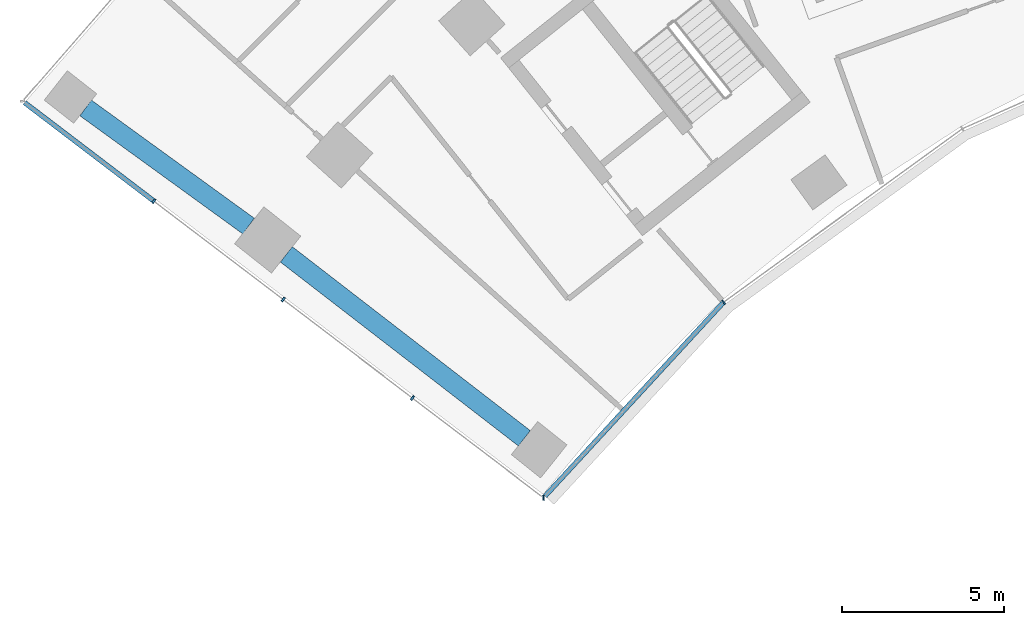
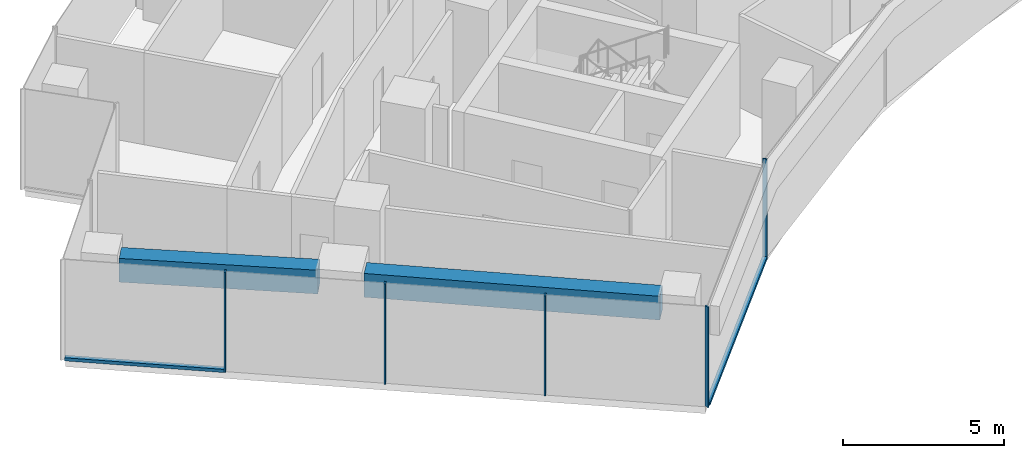
# One storey, part 2 of 21: 7 members, 2 beams, 2 elements without a shape of their own.
"""IFC4 building model written with IfcOpenShell, lengths in metres."""

from ifc_helpers import new_model, si_unit, direction, frame, origin, origin_2d, place, context, subcontext, project, spatial, rectangle, extrude, material, layer, layer_set, material_profile, profile_set, type_object, element, aggregate, save


model = new_model("IFC4")

# Units and contexts
model_context = context("Model", 3, precision=1e-05, world=origin(), true_north=direction((0.0, 1.0)))
body_context = subcontext(model_context, "Body", "Model", "MODEL_VIEW")
ifc_project = project(units=[si_unit("LENGTHUNIT", "METRE"), si_unit("AREAUNIT", "SQUARE_METRE"), si_unit("VOLUMEUNIT", "CUBIC_METRE"), si_unit("PLANEANGLEUNIT", "RADIAN"), si_unit("MASSUNIT", "GRAM", prefix="KILO")], contexts=[model_context])

# Site, building, storey
site_placement = place(None, origin())
site = spatial("IfcSite", under=ifc_project, at=site_placement, CompositionType="ELEMENT")
building_placement = place(site_placement, origin())
building = spatial("IfcBuilding", under=site, at=building_placement, Name="Stone Belt Terrace Tower", CompositionType="ELEMENT")
storey_placement = place(building_placement, frame((0.0, 0.0, 90.800048828125)))
storey = spatial("IfcBuildingStorey", under=building, at=storey_placement, Name="L21", CompositionType="ELEMENT", Elevation=90.800048828125)

# Curtain wall, members
ifc_material_1 = material(Name="Aluminium 6063-T6 anodised frame", Category="aluminium")
ifc_layer_1 = layer(ifc_material_1, 0.14990234375)
ifc_layer_set_1 = layer_set([ifc_layer_1], Name="CW-B unitised concave-face curtain wall")
curtain_wall_type_1 = type_object("IfcCurtainWallType", Name="CW-B unitised concave-face curtain wall", PredefinedType="NOTDEFINED", material=ifc_layer_set_1)
curtain_wall_1_placement = place(storey_placement, origin())
curtain_wall_1 = element("IfcCurtainWall", 1, at=curtain_wall_1_placement, inside=storey, type_object=curtain_wall_type_1, Name="CW-B concave face L21", PredefinedType="NOTDEFINED")
ifc_material_profile_1 = material_profile(ifc_material_1, rectangle(XDim=0.14990234375, YDim=0.050048828125, at=origin_2d()), Name="Aluminium 6063-T6 50x150")
ifc_profile_set_1 = profile_set([ifc_material_profile_1], Name="Aluminium 6063-T6 anodised frame")
member_type_1 = type_object("IfcMemberType", Name="CW-B mullion 50 x 150", PredefinedType="MULLION", material=ifc_profile_set_1)
member_1_placement = place(storey_placement, frame((-34.599853515625, 26.252197265625, 0.0), z_axis=(0.0, 0.0, 1.0), x_axis=(-0.087748408803, 0.996142668875, 0.0)))
member_1 = element("IfcMember", 2, at=member_1_placement, type_object=member_type_1, Name="CW-B mullion 1", PredefinedType="MULLION", context=body_context, shape_type="SweptSolid", body=[
    extrude(rectangle(XDim=0.14990234375, YDim=0.050048828125, at=origin_2d()), origin(), (0.0, 0.0, 1.0), 3.800048828125),
])
member_2_placement = place(storey_placement, frame((-29.05712890625, 32.2705078125, 0.0), z_axis=(0.0, 0.0, 1.0), x_axis=(-0.664943998932, 0.746893217458, 0.0)))
member_2 = element("IfcMember", 3, at=member_2_placement, type_object=member_type_1, Name="CW-B mullion 2", PredefinedType="MULLION", context=body_context, shape_type="SweptSolid", body=[
    extrude(rectangle(XDim=0.14990234375, YDim=0.050048828125, at=origin_2d()), origin(), (0.0, 0.0, 1.0), 3.800048828125),
])
ifc_material_profile_2 = material_profile(ifc_material_1, rectangle(XDim=0.14990234375, YDim=0.1201171875, at=origin_2d()), Name="Aluminium 6063-T6 150x120")
ifc_profile_set_2 = profile_set([ifc_material_profile_2], Name="Aluminium 6063-T6 anodised frame")
member_type_2 = type_object("IfcMemberType", Name="CW-B transom 120 x 150", PredefinedType="USERDEFINED", material=ifc_profile_set_2)
member_3_placement = place(storey_placement, frame((-34.552978515625, 26.302978515625, 0.06005859375), z_axis=(0.677443921984, 0.73557442354, 0.0), x_axis=(-0.73557442354, 0.677443921984, 0.0)))
member_3 = element("IfcMember", 4, at=member_3_placement, type_object=member_type_2, Name="CW-B transom 1.1", ObjectType="TRANSOM", PredefinedType="USERDEFINED", context=body_context, shape_type="SweptSolid", body=[
    extrude(rectangle(XDim=0.14990234375, YDim=0.1201171875, at=origin_2d()), origin(), (0.0, 0.0, 1.0), 8.08056640625),
])
aggregate(curtain_wall_1, [member_1, member_2, member_3])

ifc_layer_2 = layer(ifc_material_1, 0.14990234375)
ifc_layer_set_2 = layer_set([ifc_layer_2], Name="CW-C stick curtain wall, horn ends and notches")
curtain_wall_type_2 = type_object("IfcCurtainWallType", Name="CW-C stick curtain wall, horn ends and notches", PredefinedType="NOTDEFINED", material=ifc_layer_set_2)
curtain_wall_2_placement = place(storey_placement, origin())
curtain_wall_2 = element("IfcCurtainWall", 5, at=curtain_wall_2_placement, inside=storey, type_object=curtain_wall_type_2, Name="CW-C end face L21", PredefinedType="NOTDEFINED")
ifc_material_profile_3 = material_profile(ifc_material_1, rectangle(XDim=0.14990234375, YDim=0.06005859375, at=origin_2d()), Name="Aluminium 6063-T6 60x150")
ifc_profile_set_3 = profile_set([ifc_material_profile_3], Name="Aluminium 6063-T6 anodised frame")
member_type_3 = type_object("IfcMemberType", Name="CW-C mullion 60 x 150", PredefinedType="MULLION", material=ifc_profile_set_3)
member_4_placement = place(storey_placement, frame((-46.588134765625, 35.380859375, 0.0), z_axis=(0.0, 0.0, 1.0), x_axis=(0.605820156644, 0.795601620036, 0.0)))
member_4 = element("IfcMember", 6, at=member_4_placement, type_object=member_type_3, Name="CW-C mullion 2", PredefinedType="MULLION", context=body_context, shape_type="SweptSolid", body=[
    extrude(rectangle(XDim=0.14990234375, YDim=0.06005859375, at=origin_2d()), origin(), (0.0, 0.0, 1.0), 3.800048828125),
])
member_5_placement = place(storey_placement, frame((-42.610107421875, 32.351806640625, 0.0), z_axis=(0.0, 0.0, 1.0), x_axis=(0.605820156644, 0.795601620036, 0.0)))
member_5 = element("IfcMember", 7, at=member_5_placement, type_object=member_type_3, Name="CW-C mullion 3", PredefinedType="MULLION", context=body_context, shape_type="SweptSolid", body=[
    extrude(rectangle(XDim=0.14990234375, YDim=0.06005859375, at=origin_2d()), origin(), (0.0, 0.0, 1.0), 3.800048828125),
])
member_6_placement = place(storey_placement, frame((-38.632080078125, 29.322509765625, 0.0), z_axis=(0.0, 0.0, 1.0), x_axis=(0.605820156644, 0.795601620036, 0.0)))
member_6 = element("IfcMember", 8, at=member_6_placement, type_object=member_type_3, Name="CW-C mullion 4", PredefinedType="MULLION", context=body_context, shape_type="SweptSolid", body=[
    extrude(rectangle(XDim=0.14990234375, YDim=0.06005859375, at=origin_2d()), origin(), (0.0, 0.0, 1.0), 3.800048828125),
])
ifc_material_profile_4 = material_profile(ifc_material_1, rectangle(XDim=0.14990234375, YDim=0.1201171875, at=origin_2d()), Name="Aluminium 6063-T6 150x120")
ifc_profile_set_4 = profile_set([ifc_material_profile_4], Name="Aluminium 6063-T6 anodised frame")
member_type_4 = type_object("IfcMemberType", Name="CW-C transom 120 x 150", PredefinedType="USERDEFINED", material=ifc_profile_set_4)
member_7_placement = place(storey_placement, frame((-50.570068359375, 38.412841796875, 0.06005859375), z_axis=(0.795597290683, -0.605825842184, 0.0), x_axis=(0.605825842184, 0.795597290683, 0.0)))
member_7 = element("IfcMember", 9, at=member_7_placement, type_object=member_type_4, Name="CW-C transom 1.1", ObjectType="TRANSOM", PredefinedType="USERDEFINED", context=body_context, shape_type="SweptSolid", body=[
    extrude(rectangle(XDim=0.14990234375, YDim=0.1201171875, at=origin_2d()), origin(), (0.0, 0.0, 1.0), 4.974853515625),
])
aggregate(curtain_wall_2, [member_4, member_5, member_6, member_7])

# Beams
ifc_material_2 = material(Name="Concrete B60", Category="concrete")
ifc_material_profile_5 = material_profile(ifc_material_2, rectangle(XDim=0.60009765625, YDim=0.89990234375, at=origin_2d()), Name="RC 600x900")
ifc_profile_set_5 = profile_set([ifc_material_profile_5], Name="Concrete B60")
beam_type = type_object("IfcBeamType", Name="Edge beam RC 600x900 B60", PredefinedType="SPANDREL", material=ifc_profile_set_5)
beam_1_placement = place(storey_placement, frame((-35.1884765625, 28.081787109375, 3.030029296875), z_axis=(-0.791285581483, 0.61144675037, 0.0), x_axis=(-0.61144675037, -0.791285581483, 0.0)))
element("IfcBeam", 10, at=beam_1_placement, inside=storey, type_object=beam_type, Name="Edge beam L21 A P to Q", PredefinedType="SPANDREL", context=body_context, shape_type="SweptSolid", body=[
    extrude(rectangle(XDim=0.60009765625, YDim=0.89990234375, at=origin_2d()), origin(), (0.0, 0.0, 1.0), 9.255859375),
])
beam_2_placement = place(storey_placement, frame((-43.673583984375, 34.610595703125, 3.030029296875), z_axis=(-0.809517715387, 0.587095450905, 0.0), x_axis=(-0.587095450905, -0.809517715387, 0.0)))
element("IfcBeam", 11, at=beam_2_placement, inside=storey, type_object=beam_type, Name="Edge beam L21 A Q to R", PredefinedType="SPANDREL", context=body_context, shape_type="SweptSolid", body=[
    extrude(rectangle(XDim=0.60009765625, YDim=0.89990234375, at=origin_2d()), origin(), (0.0, 0.0, 1.0), 6.194091796875),
])

save(model, "model.ifc")
